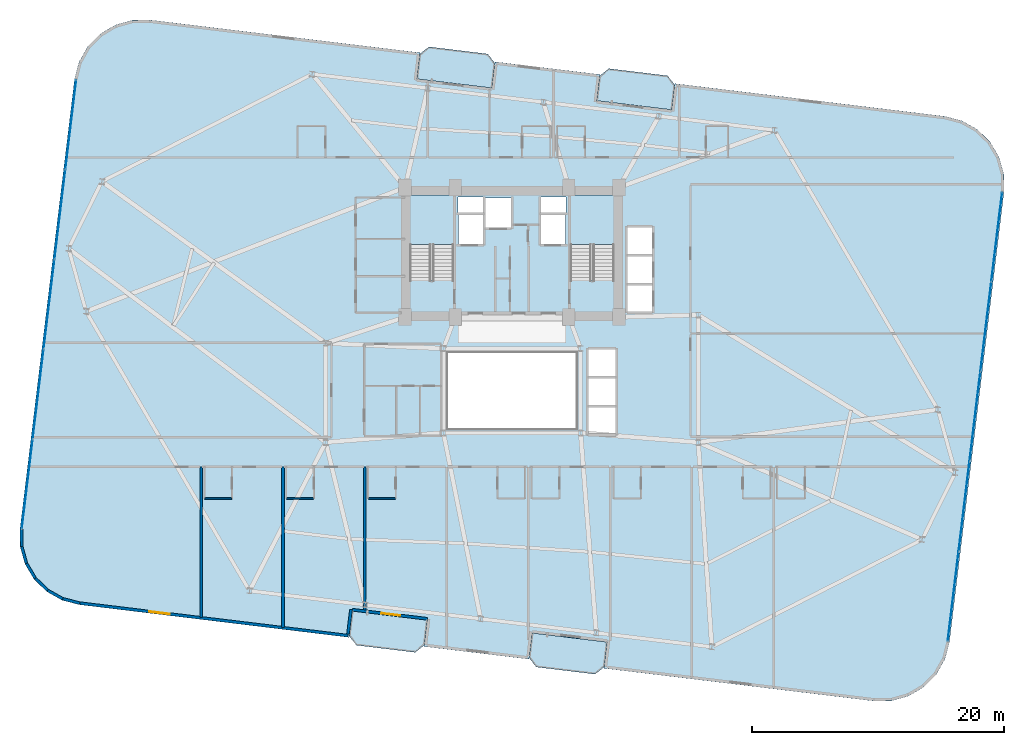
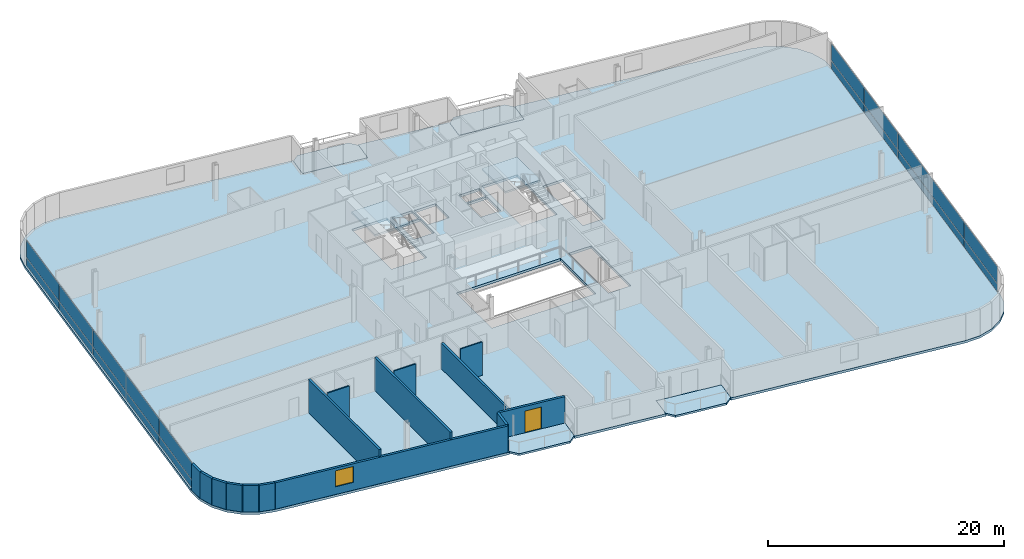
# One storey, part 19 of 26: 20 plates, 15 walls, 7 slabs, 1 door, 1 window, 2 openings, 4 elements without a shape of their own.
"""IFC4 building model written with IfcOpenShell, lengths in metres."""

from ifc_helpers import new_model, si_unit, direction, frame, frame_2d, origin, origin_2d, place, context, subcontext, project, spatial, polyline, rectangle, outline, extrude, source, transform, mapped, material, layer, layer_set, type_object, element, fill, aggregate, save


model = new_model("IFC4")

# Units and contexts
model_context = context("Model", 3, precision=1e-05, world=origin(), true_north=direction((0.0, 1.0)))
body_context = subcontext(model_context, "Body", "Model", "MODEL_VIEW")
ifc_project = project(units=[si_unit("LENGTHUNIT", "METRE"), si_unit("AREAUNIT", "SQUARE_METRE"), si_unit("VOLUMEUNIT", "CUBIC_METRE"), si_unit("PLANEANGLEUNIT", "RADIAN"), si_unit("MASSUNIT", "GRAM", prefix="KILO")], contexts=[model_context])

# Site, building, storey
site_placement = place(None, origin())
site = spatial("IfcSite", under=ifc_project, at=site_placement, CompositionType="ELEMENT")
building_placement = place(site_placement, origin())
building = spatial("IfcBuilding", under=site, at=building_placement, Name="Varnelok Gate Tower", CompositionType="ELEMENT")
storey_placement = place(building_placement, frame((0.0, 0.0, 129.10009765625)))
storey = spatial("IfcBuildingStorey", under=building, at=storey_placement, Name="L32", CompositionType="ELEMENT", Elevation=129.10009765625)

# Slabs
ifc_material_1 = material(Name="Concrete C45/55", Category="concrete")
ifc_layer_1 = layer(ifc_material_1, 0.199951171875)
ifc_layer_set_1 = layer_set([ifc_layer_1], Name="Concrete C45/55")
slab_type_1 = type_object("IfcSlabType", Name="SLB-BALC-200", PredefinedType="FLOOR", material=ifc_layer_set_1)
slab_1_placement = place(storey_placement, frame((0.0, 0.0, -0.2001953125)))
element("IfcSlab", 1, at=slab_1_placement, inside=storey, type_object=slab_type_1, Name="L32 South Hollow Balcony 1", PredefinedType="FLOOR", context=body_context, shape_type="SweptSolid", body=[
    extrude(outline(polyline([(26.27001953125, 3.39697265625), (26.837158203125, 2.67333984375), (31.5029296875, 2.107666015625), (32.2265625, 2.6748046875), (32.46728515625, 4.660400390625), (26.5107421875, 5.38232421875), (26.27001953125, 3.39697265625)])), origin(), (0.0, 0.0, 1.0), 0.2001953125),
])
slab_2_placement = place(storey_placement, frame((0.0, 0.0, -0.2001953125)))
element("IfcSlab", 2, at=slab_2_placement, inside=storey, type_object=slab_type_1, Name="L32 South Hollow Balcony 2", PredefinedType="FLOOR", context=body_context, shape_type="SweptSolid", body=[
    extrude(outline(polyline([(40.5654296875, 1.663818359375), (41.132568359375, 0.9404296875), (45.79833984375, 0.374755859375), (46.521728515625, 0.94189453125), (46.762451171875, 2.92724609375), (40.80615234375, 3.6494140625), (40.5654296875, 1.663818359375)])), origin(), (0.0, 0.0, 1.0), 0.2001953125),
])
slab_3_placement = place(storey_placement, frame((0.0, 0.0, -0.2001953125)))
element("IfcSlab", 3, at=slab_3_placement, inside=storey, type_object=slab_type_1, Name="L32 North Hollow Balcony 1", PredefinedType="FLOOR", context=body_context, shape_type="SweptSolid", body=[
    extrude(outline(polyline([(31.637451171875, 47.672607421875), (37.593994140625, 46.95068359375), (37.834716796875, 48.93603515625), (37.267578125, 49.65966796875), (32.601806640625, 50.22509765625), (31.878173828125, 49.658203125), (31.637451171875, 47.672607421875)])), origin(), (0.0, 0.0, 1.0), 0.2001953125),
])
slab_4_placement = place(storey_placement, frame((0.0, 0.0, -0.2001953125)))
element("IfcSlab", 4, at=slab_4_placement, inside=storey, type_object=slab_type_1, Name="L32 North Hollow Balcony 2", PredefinedType="FLOOR", context=body_context, shape_type="SweptSolid", body=[
    extrude(outline(polyline([(45.932861328125, 45.939697265625), (51.88916015625, 45.2177734375), (52.1298828125, 47.203125), (51.562744140625, 47.926513671875), (46.89697265625, 48.4921875), (46.173583984375, 47.92529296875), (45.932861328125, 45.939697265625)])), origin(), (0.0, 0.0, 1.0), 0.2001953125),
])

# Stair, slab
ifc_material_2 = material(Name="Concrete C50/60", Category="concrete")
stair_type = type_object("IfcStairType", Name="STR-CORE-1650", PredefinedType="HALF_TURN_STAIR", material=ifc_material_2)
stair_1_placement = place(storey_placement, origin())
stair_1 = element("IfcStair", 5, at=stair_1_placement, inside=storey, type_object=stair_type, Name="L32 Exit Stair ST-1", PredefinedType="HALF_TURN_STAIR")
ifc_layer_2 = layer(ifc_material_1, 0.199951171875)
ifc_layer_set_2 = layer_set([ifc_layer_2], Name="Concrete C45/55")
slab_type_2 = type_object("IfcSlabType", Name="SLB-LAND-200", PredefinedType="LANDING", material=ifc_layer_set_2)
slab_5_placement = place(storey_placement, frame((0.0, 0.0, 1.64990234375)))
slab_5 = element("IfcSlab", 6, at=slab_5_placement, type_object=slab_type_2, Name="ST-1 landing 1", PredefinedType="LANDING", context=body_context, shape_type="SweptSolid", body=[
    extrude(outline(polyline([(34.550048828125, 34.5), (34.550048828125, 38.449951171875), (31.10009765625, 38.449951171875), (31.10009765625, 34.5), (34.550048828125, 34.5)])), origin(), (0.0, 0.0, 1.0), 0.199951171875),
])
aggregate(stair_1, [slab_5])

stair_2_placement = place(storey_placement, origin())
stair_2 = element("IfcStair", 7, at=stair_2_placement, inside=storey, type_object=stair_type, Name="L32 Exit Stair ST-2", PredefinedType="HALF_TURN_STAIR")
slab_6_placement = place(storey_placement, frame((0.0, 0.0, 1.64990234375)))
slab_6 = element("IfcSlab", 8, at=slab_6_placement, type_object=slab_type_2, Name="ST-2 landing 1", PredefinedType="LANDING", context=body_context, shape_type="SweptSolid", body=[
    extrude(outline(polyline([(47.300048828125, 34.5), (47.300048828125, 38.449951171875), (43.85009765625, 38.449951171875), (43.85009765625, 34.5), (47.300048828125, 34.5)])), origin(), (0.0, 0.0, 1.0), 0.199951171875),
])
aggregate(stair_2, [slab_6])

# Slab
ifc_layer_3 = layer(ifc_material_2, 0.25)
ifc_layer_set_3 = layer_set([ifc_layer_3], Name="Concrete C50/60")
slab_type_3 = type_object("IfcSlabType", Name="SLB-TYP-250", PredefinedType="FLOOR", material=ifc_layer_set_3)
slab_7_placement = place(storey_placement, frame((0.0, 0.0, -0.25)))
element("IfcSlab", 9, at=slab_7_placement, inside=storey, type_object=slab_type_3, Name="L32 Structural Floor Slab", PredefinedType="FLOOR", context=body_context, shape_type="SweptSolid", body=[
    extrude(outline(polyline([(0.104248046875, 11.90771484375), (0.11865234375, 10.498046875), (0.49755859375, 9.14013671875), (1.214599609375, 7.9267578125), (2.2216796875, 6.940185546875), (3.44970703125, 6.247802734375), (4.81494140625, 5.89697265625), (16.529296875, 4.47705078125), (26.258056640625, 3.297607421875), (26.5107421875, 5.38232421875), (32.46728515625, 4.660400390625), (32.214599609375, 2.575439453125), (40.553466796875, 1.564697265625), (40.80615234375, 3.6494140625), (46.762451171875, 2.92724609375), (46.509765625, 0.842529296875), (56.238525390625, -0.3369140625), (67.952880859375, -1.7568359375), (69.3623046875, -1.742431640625), (70.72021484375, -1.363525390625), (71.933837890625, -0.646240234375), (72.92041015625, 0.360595703125), (73.612548828125, 1.588623046875), (73.96337890625, 2.9541015625), (78.2958984375, 38.6923828125), (78.281494140625, 40.101806640625), (77.902587890625, 41.459716796875), (77.185302734375, 42.67333984375), (76.17822265625, 43.659912109375), (74.9501953125, 44.35205078125), (73.5849609375, 44.702880859375), (61.87060546875, 46.123046875), (52.141845703125, 47.302490234375), (51.88916015625, 45.2177734375), (45.932861328125, 45.939697265625), (46.185546875, 48.0244140625), (37.8466796875, 49.035400390625), (37.593994140625, 46.95068359375), (31.637451171875, 47.672607421875), (31.89013671875, 49.75732421875), (22.161376953125, 50.936767578125), (10.447265625, 52.35693359375), (9.03759765625, 52.34228515625), (7.6796875, 51.963623046875), (6.46630859375, 51.246337890625), (5.479736328125, 50.2392578125), (4.787353515625, 49.01123046875), (4.4365234375, 47.64599609375), (0.104248046875, 11.90771484375)]), holes=[polyline([(34.550048828125, 31.679931640625), (34.550048828125, 38.449951171875), (31.10009765625, 38.449951171875), (31.10009765625, 31.679931640625), (34.550048828125, 31.679931640625)]), polyline([(47.300048828125, 31.679931640625), (47.300048828125, 38.449951171875), (43.85009765625, 38.449951171875), (43.85009765625, 31.679931640625), (47.300048828125, 31.679931640625)]), polyline([(34.949951171875, 34.550048828125), (36.89990234375, 34.550048828125), (36.89990234375, 36.89990234375), (34.949951171875, 36.89990234375), (34.949951171875, 34.550048828125)]), polyline([(41.5, 34.550048828125), (43.449951171875, 34.550048828125), (43.449951171875, 36.89990234375), (41.5, 36.89990234375), (41.5, 34.550048828125)]), polyline([(37.050048828125, 35.85009765625), (39.14990234375, 35.85009765625), (39.14990234375, 38.199951171875), (37.050048828125, 38.199951171875), (37.050048828125, 35.85009765625)]), polyline([(48.35009765625, 29.14990234375), (50.35009765625, 29.14990234375), (50.35009765625, 35.89990234375), (48.35009765625, 35.89990234375), (48.35009765625, 29.14990234375)]), polyline([(45.25, 19.449951171875), (47.449951171875, 19.449951171875), (47.449951171875, 26.199951171875), (45.25, 26.199951171875), (45.25, 19.449951171875)]), polyline([(34.919921875, 37.080078125), (36.89990234375, 37.080078125), (36.89990234375, 38.280029296875), (34.919921875, 38.280029296875), (34.919921875, 37.080078125)]), polyline([(41.5, 37.080078125), (43.47998046875, 37.080078125), (43.47998046875, 38.280029296875), (41.5, 38.280029296875), (41.5, 37.080078125)]), polyline([(34.10009765625, 19.89990234375), (44.300048828125, 19.89990234375), (44.300048828125, 25.89990234375), (34.10009765625, 25.89990234375), (34.10009765625, 19.89990234375)])]), origin(), (0.0, 0.0, 1.0), 0.25),
])

# Curtain wall, plates
ifc_material_3 = material(Name="Anodized Aluminum Alloy 6063-T6", Category="aluminium")
ifc_layer_4 = layer(ifc_material_3, 0.179931640625)
ifc_layer_set_4 = layer_set([ifc_layer_4], Name="Anodized Aluminum Alloy 6063-T6")
curtain_wall_type = type_object("IfcCurtainWallType", Name="CW3-HOTEL-VISION", PredefinedType="USERDEFINED", material=ifc_layer_set_4)
curtain_wall_1_placement = place(storey_placement, origin())
curtain_wall_1 = element("IfcCurtainWall", 10, at=curtain_wall_1_placement, inside=storey, type_object=curtain_wall_type, Name="L32 West End Vision Curtain Wall", ObjectType="UNITISED CURTAIN WALL", PredefinedType="USERDEFINED")
ifc_material_4 = material(Name="Low-E Laminated Double Glazing IGU", Category="glass")
ifc_layer_5 = layer(ifc_material_4, 0.031982421875)
ifc_layer_set_5 = layer_set([ifc_layer_5], Name="Low-E Laminated Double Glazing IGU")
plate_type = type_object("IfcPlateType", Name="CW-PNL-IGU32", PredefinedType="CURTAIN_PANEL", material=ifc_layer_set_5)
shared_shape_1 = source(origin(), body_context, "Body", "SweptSolid", [
    extrude(rectangle(XDim=7.1025390625, YDim=0.031982421875, at=origin_2d()), origin(), (0.0, 0.0, 1.0), 0.802490234375),
])
plate_1_placement = place(storey_placement, frame((0.67822265625, 15.480712890625, 0.06494140625), z_axis=(0.0, 0.0, 1.0), x_axis=(0.120347046212, 0.99273188146, 0.0)))
plate_1 = element("IfcPlate", 11, at=plate_1_placement, type_object=plate_type, Name="CW3 panel 1.1", PredefinedType="CURTAIN_PANEL", context=body_context, shape_type="MappedRepresentation", body=[
    mapped(shared_shape_1, transform((0.0, 0.0, 0.0), scale=1.0)),
])
plate_2_placement = place(storey_placement, frame((4.140380859375, 44.039306640625, 0.06494140625), z_axis=(0.0, 0.0, 1.0), x_axis=(0.120347046212, 0.99273188146, 0.0)))
plate_2 = element("IfcPlate", 12, at=plate_2_placement, type_object=plate_type, Name="CW3 panel 5.1", PredefinedType="CURTAIN_PANEL", context=body_context, shape_type="MappedRepresentation", body=[
    mapped(shared_shape_1, transform((0.0, 0.0, 0.0), scale=1.0)),
])

curtain_wall_2_placement = place(storey_placement, origin())
curtain_wall_2 = element("IfcCurtainWall", 13, at=curtain_wall_2_placement, inside=storey, type_object=curtain_wall_type, Name="L32 East End Vision Curtain Wall", ObjectType="UNITISED CURTAIN WALL", PredefinedType="USERDEFINED")
plate_3_placement = place(storey_placement, frame((77.7216796875, 35.119140625, 0.06494140625), z_axis=(0.0, 0.0, 1.0), x_axis=(-0.120347046212, -0.99273188146, 0.0)))
plate_3 = element("IfcPlate", 14, at=plate_3_placement, type_object=plate_type, Name="CW3 panel 1.1", PredefinedType="CURTAIN_PANEL", context=body_context, shape_type="MappedRepresentation", body=[
    mapped(shared_shape_1, transform((0.0, 0.0, 0.0), scale=1.0)),
])
plate_4_placement = place(storey_placement, frame((74.259521484375, 6.560791015625, 0.06494140625), z_axis=(0.0, 0.0, 1.0), x_axis=(-0.120347046212, -0.99273188146, 0.0)))
plate_4 = element("IfcPlate", 15, at=plate_4_placement, type_object=plate_type, Name="CW3 panel 5.1", PredefinedType="CURTAIN_PANEL", context=body_context, shape_type="MappedRepresentation", body=[
    mapped(shared_shape_1, transform((0.0, 0.0, 0.0), scale=1.0)),
])

# Plate
shared_shape_2 = source(origin(), body_context, "Body", "SweptSolid", [
    extrude(rectangle(XDim=7.1025390625, YDim=0.031982421875, at=origin_2d()), origin(), (0.0, 0.0, 1.0), 1.732421875),
])
plate_5_placement = place(storey_placement, frame((0.67822265625, 15.480712890625, 0.932373046875), z_axis=(0.0, 0.0, 1.0), x_axis=(0.120347046212, 0.99273188146, 0.0)))
plate_5 = element("IfcPlate", 16, at=plate_5_placement, type_object=plate_type, Name="CW3 panel 1.2", PredefinedType="CURTAIN_PANEL", context=body_context, shape_type="MappedRepresentation", body=[
    mapped(shared_shape_2, transform((0.0, 0.0, 0.0), scale=1.0)),
])

plate_6_placement = place(storey_placement, frame((4.140380859375, 44.039306640625, 0.932373046875), z_axis=(0.0, 0.0, 1.0), x_axis=(0.120347046212, 0.99273188146, 0.0)))
plate_6 = element("IfcPlate", 17, at=plate_6_placement, type_object=plate_type, Name="CW3 panel 5.2", PredefinedType="CURTAIN_PANEL", context=body_context, shape_type="MappedRepresentation", body=[
    mapped(shared_shape_2, transform((0.0, 0.0, 0.0), scale=1.0)),
])

plate_7_placement = place(storey_placement, frame((77.7216796875, 35.119140625, 0.932373046875), z_axis=(0.0, 0.0, 1.0), x_axis=(-0.120347046212, -0.99273188146, 0.0)))
plate_7 = element("IfcPlate", 18, at=plate_7_placement, type_object=plate_type, Name="CW3 panel 1.2", PredefinedType="CURTAIN_PANEL", context=body_context, shape_type="MappedRepresentation", body=[
    mapped(shared_shape_2, transform((0.0, 0.0, 0.0), scale=1.0)),
])

plate_8_placement = place(storey_placement, frame((74.259521484375, 6.560791015625, 0.932373046875), z_axis=(0.0, 0.0, 1.0), x_axis=(-0.120347046212, -0.99273188146, 0.0)))
plate_8 = element("IfcPlate", 19, at=plate_8_placement, type_object=plate_type, Name="CW3 panel 5.2", PredefinedType="CURTAIN_PANEL", context=body_context, shape_type="MappedRepresentation", body=[
    mapped(shared_shape_2, transform((0.0, 0.0, 0.0), scale=1.0)),
])

shared_shape_3 = source(origin(), body_context, "Body", "SweptSolid", [
    extrude(rectangle(XDim=7.135009765625, YDim=0.031982421875, at=origin_2d()), origin(), (0.0, 0.0, 1.0), 0.802490234375),
])
plate_9_placement = place(storey_placement, frame((1.54296875, 22.6123046875, 0.06494140625), z_axis=(0.0, 0.0, 1.0), x_axis=(0.120347046212, 0.99273188146, 0.0)))
plate_9 = element("IfcPlate", 20, at=plate_9_placement, type_object=plate_type, Name="CW3 panel 2.1", PredefinedType="CURTAIN_PANEL", context=body_context, shape_type="MappedRepresentation", body=[
    mapped(shared_shape_3, transform((0.0, 0.0, 0.0), scale=1.0)),
])

plate_10_placement = place(storey_placement, frame((2.409423828125, 29.760009765625, 0.06494140625), z_axis=(0.0, 0.0, 1.0), x_axis=(0.120347046212, 0.99273188146, 0.0)))
plate_10 = element("IfcPlate", 21, at=plate_10_placement, type_object=plate_type, Name="CW3 panel 3.1", PredefinedType="CURTAIN_PANEL", context=body_context, shape_type="MappedRepresentation", body=[
    mapped(shared_shape_3, transform((0.0, 0.0, 0.0), scale=1.0)),
])

plate_11_placement = place(storey_placement, frame((3.27587890625, 36.90771484375, 0.06494140625), z_axis=(0.0, 0.0, 1.0), x_axis=(0.120347046212, 0.99273188146, 0.0)))
plate_11 = element("IfcPlate", 22, at=plate_11_placement, type_object=plate_type, Name="CW3 panel 4.1", PredefinedType="CURTAIN_PANEL", context=body_context, shape_type="MappedRepresentation", body=[
    mapped(shared_shape_3, transform((0.0, 0.0, 0.0), scale=1.0)),
])

plate_12_placement = place(storey_placement, frame((76.857177734375, 27.98779296875, 0.06494140625), z_axis=(0.0, 0.0, 1.0), x_axis=(-0.120347046212, -0.99273188146, 0.0)))
plate_12 = element("IfcPlate", 23, at=plate_12_placement, type_object=plate_type, Name="CW3 panel 2.1", PredefinedType="CURTAIN_PANEL", context=body_context, shape_type="MappedRepresentation", body=[
    mapped(shared_shape_3, transform((0.0, 0.0, 0.0), scale=1.0)),
])

plate_13_placement = place(storey_placement, frame((75.99072265625, 20.840087890625, 0.06494140625), z_axis=(0.0, 0.0, 1.0), x_axis=(-0.120347046212, -0.99273188146, 0.0)))
plate_13 = element("IfcPlate", 24, at=plate_13_placement, type_object=plate_type, Name="CW3 panel 3.1", PredefinedType="CURTAIN_PANEL", context=body_context, shape_type="MappedRepresentation", body=[
    mapped(shared_shape_3, transform((0.0, 0.0, 0.0), scale=1.0)),
])

plate_14_placement = place(storey_placement, frame((75.124267578125, 13.6923828125, 0.06494140625), z_axis=(0.0, 0.0, 1.0), x_axis=(-0.120347046212, -0.99273188146, 0.0)))
plate_14 = element("IfcPlate", 25, at=plate_14_placement, type_object=plate_type, Name="CW3 panel 4.1", PredefinedType="CURTAIN_PANEL", context=body_context, shape_type="MappedRepresentation", body=[
    mapped(shared_shape_3, transform((0.0, 0.0, 0.0), scale=1.0)),
])

shared_shape_4 = source(origin(), body_context, "Body", "SweptSolid", [
    extrude(rectangle(XDim=7.135009765625, YDim=0.031982421875, at=origin_2d()), origin(), (0.0, 0.0, 1.0), 1.732421875),
])
plate_15_placement = place(storey_placement, frame((1.54296875, 22.6123046875, 0.932373046875), z_axis=(0.0, 0.0, 1.0), x_axis=(0.120347046212, 0.99273188146, 0.0)))
plate_15 = element("IfcPlate", 26, at=plate_15_placement, type_object=plate_type, Name="CW3 panel 2.2", PredefinedType="CURTAIN_PANEL", context=body_context, shape_type="MappedRepresentation", body=[
    mapped(shared_shape_4, transform((0.0, 0.0, 0.0), scale=1.0)),
])

plate_16_placement = place(storey_placement, frame((2.409423828125, 29.760009765625, 0.932373046875), z_axis=(0.0, 0.0, 1.0), x_axis=(0.120347046212, 0.99273188146, 0.0)))
plate_16 = element("IfcPlate", 27, at=plate_16_placement, type_object=plate_type, Name="CW3 panel 3.2", PredefinedType="CURTAIN_PANEL", context=body_context, shape_type="MappedRepresentation", body=[
    mapped(shared_shape_4, transform((0.0, 0.0, 0.0), scale=1.0)),
])

plate_17_placement = place(storey_placement, frame((3.27587890625, 36.90771484375, 0.932373046875), z_axis=(0.0, 0.0, 1.0), x_axis=(0.120347046212, 0.99273188146, 0.0)))
plate_17 = element("IfcPlate", 28, at=plate_17_placement, type_object=plate_type, Name="CW3 panel 4.2", PredefinedType="CURTAIN_PANEL", context=body_context, shape_type="MappedRepresentation", body=[
    mapped(shared_shape_4, transform((0.0, 0.0, 0.0), scale=1.0)),
])

aggregate(curtain_wall_1, [plate_1, plate_5, plate_9, plate_15, plate_10, plate_16, plate_11, plate_17, plate_2, plate_6])

plate_18_placement = place(storey_placement, frame((76.857177734375, 27.98779296875, 0.932373046875), z_axis=(0.0, 0.0, 1.0), x_axis=(-0.120347046212, -0.99273188146, 0.0)))
plate_18 = element("IfcPlate", 29, at=plate_18_placement, type_object=plate_type, Name="CW3 panel 2.2", PredefinedType="CURTAIN_PANEL", context=body_context, shape_type="MappedRepresentation", body=[
    mapped(shared_shape_4, transform((0.0, 0.0, 0.0), scale=1.0)),
])

plate_19_placement = place(storey_placement, frame((75.99072265625, 20.840087890625, 0.932373046875), z_axis=(0.0, 0.0, 1.0), x_axis=(-0.120347046212, -0.99273188146, 0.0)))
plate_19 = element("IfcPlate", 30, at=plate_19_placement, type_object=plate_type, Name="CW3 panel 3.2", PredefinedType="CURTAIN_PANEL", context=body_context, shape_type="MappedRepresentation", body=[
    mapped(shared_shape_4, transform((0.0, 0.0, 0.0), scale=1.0)),
])

plate_20_placement = place(storey_placement, frame((75.124267578125, 13.6923828125, 0.932373046875), z_axis=(0.0, 0.0, 1.0), x_axis=(-0.120347046212, -0.99273188146, 0.0)))
plate_20 = element("IfcPlate", 31, at=plate_20_placement, type_object=plate_type, Name="CW3 panel 4.2", PredefinedType="CURTAIN_PANEL", context=body_context, shape_type="MappedRepresentation", body=[
    mapped(shared_shape_4, transform((0.0, 0.0, 0.0), scale=1.0)),
])

aggregate(curtain_wall_2, [plate_3, plate_7, plate_12, plate_18, plate_13, plate_19, plate_14, plate_20, plate_4, plate_8])

# Wall, opening, door
ifc_layer_6 = layer(ifc_material_1, 0.219970703125)
ifc_layer_set_6 = layer_set([ifc_layer_6], Name="Concrete C45/55")
wall_type_1 = type_object("IfcWallType", Name="EW-BALC-220", PredefinedType="SOLIDWALL", material=ifc_layer_set_6)
wall_1_placement = place(storey_placement, frame((32.48046875, 4.76953125, 0.0), z_axis=(0.0, 0.0, 1.0), x_axis=(-0.992735402148, 0.120318000826, 0.0)))
wall_1 = element("IfcWall", 32, at=wall_1_placement, inside=storey, type_object=wall_type_1, Name="L32 South Terrace Envelope Wall 1", PredefinedType="SOLIDWALL", context=body_context, shape_type="SweptSolid", body=[
    extrude(rectangle(XDim=6.000244140625, YDim=0.219970703125, at=frame_2d((3.0, 0.0))), origin(), (0.0, 0.0, 1.0), 2.72998046875),
])
opening_1_placement = place(wall_1_placement, frame((2.176025390625, 0.0, 0.0)))
opening_1 = element("IfcOpeningElement", 33, at=opening_1_placement, cuts=wall_1, Name="Opening BD-1", PredefinedType="OPENING", context=body_context, shape_type="SweptSolid", body=[
    extrude(rectangle(XDim=1.5, YDim=2.25, at=frame_2d((0.75, 1.125))), frame((0.0, 0.119873046875, 0.0), z_axis=(0.0, -1.0, 0.0), x_axis=(1.0, 0.0, 0.0)), (0.0, 0.0, 1.0), 0.239990234375),
])
door_type = type_object("IfcDoorType", Name="DR-EXT-BALC1500", OperationType="NOTDEFINED", PredefinedType="DOOR", material=ifc_material_3)
door_placement = place(opening_1_placement, origin())
door = element("IfcDoor", 34, at=door_placement, inside=storey, type_object=door_type, Name="L32 South Balcony Glazed Door 1", OperationType="SINGLE_SWING_RIGHT", OverallHeight=2.25, OverallWidth=1.5, PredefinedType="DOOR", context=body_context, shape_type="SweptSolid", body=[
    extrude(rectangle(XDim=1.5, YDim=2.25, at=frame_2d((0.75, 1.125))), frame((0.0, 0.02490234375, 0.0), z_axis=(0.0, -1.0, 0.0), x_axis=(1.0, 0.0, 0.0)), (0.0, 0.0, 1.0), 0.050048828125),
])
fill(opening_1, door)

# Walls
wall_2_placement = place(storey_placement, frame((0.224365234375, 11.89306640625, 0.0), z_axis=(0.0, 0.0, 1.0), x_axis=(0.010098705419, -0.999949006774, 0.0)))
element("IfcWall", 35, at=wall_2_placement, inside=storey, type_object=wall_type_1, Name="L32 Perimeter Facade Closure Wall 1", PredefinedType="SOLIDWALL", context=body_context, shape_type="SweptSolid", body=[
    extrude(rectangle(XDim=1.3779296875, YDim=0.219970703125, at=frame_2d((0.68896484375, 0.0))), origin(), (0.0, 0.0, 1.0), 2.72998046875),
])
wall_3_placement = place(storey_placement, frame((0.2451171875, 10.490966796875, 0.0), z_axis=(0.0, 0.0, 1.0), x_axis=(0.268853470153, -0.963181089716, 0.0)))
element("IfcWall", 36, at=wall_3_placement, inside=storey, type_object=wall_type_1, Name="L32 Perimeter Facade Closure Wall 2", PredefinedType="SOLIDWALL", context=body_context, shape_type="SweptSolid", body=[
    extrude(rectangle(XDim=1.35302734375, YDim=0.219970703125, at=frame_2d((0.676513671875, 0.0))), origin(), (0.0, 0.0, 1.0), 2.72998046875),
])
wall_4_placement = place(storey_placement, frame((0.62158203125, 9.166015625, 0.0), z_axis=(0.0, 0.0, 1.0), x_axis=(0.508911700393, -0.860818727261, 0.0)))
element("IfcWall", 37, at=wall_4_placement, inside=storey, type_object=wall_type_1, Name="L32 Perimeter Facade Closure Wall 3", PredefinedType="SOLIDWALL", context=body_context, shape_type="SweptSolid", body=[
    extrude(rectangle(XDim=1.352783203125, YDim=0.219970703125, at=frame_2d((0.67626953125, 0.0))), origin(), (0.0, 0.0, 1.0), 2.72998046875),
])
wall_5_placement = place(storey_placement, frame((1.327880859375, 7.98388671875, 0.0), z_axis=(0.0, 0.0, 1.0), x_axis=(0.714376989847, -0.69976104234, 0.0)))
element("IfcWall", 38, at=wall_5_placement, inside=storey, type_object=wall_type_1, Name="L32 Perimeter Facade Closure Wall 4", PredefinedType="SOLIDWALL", context=body_context, shape_type="SweptSolid", body=[
    extrude(rectangle(XDim=1.35302734375, YDim=0.219970703125, at=frame_2d((0.676513671875, 0.0))), origin(), (0.0, 0.0, 1.0), 2.72998046875),
])
wall_6_placement = place(storey_placement, frame((2.316162109375, 7.024658203125, 0.0), z_axis=(0.0, 0.0, 1.0), x_axis=(0.87113677592, -0.491040443996, 0.0)))
element("IfcWall", 39, at=wall_6_placement, inside=storey, type_object=wall_type_1, Name="L32 Perimeter Facade Closure Wall 5", PredefinedType="SOLIDWALL", context=body_context, shape_type="SweptSolid", body=[
    extrude(rectangle(XDim=1.353271484375, YDim=0.219970703125, at=frame_2d((0.6767578125, 0.0))), origin(), (0.0, 0.0, 1.0), 2.72998046875),
])
wall_7_placement = place(storey_placement, frame((3.519287109375, 6.35400390625, 0.0), z_axis=(0.0, 0.0, 1.0), x_axis=(0.968506529347, -0.248988157573, 0.0)))
element("IfcWall", 40, at=wall_7_placement, inside=storey, type_object=wall_type_1, Name="L32 Perimeter Facade Closure Wall 6", PredefinedType="SOLIDWALL", context=body_context, shape_type="SweptSolid", body=[
    extrude(rectangle(XDim=1.361083984375, YDim=0.219970703125, at=frame_2d((0.6806640625, 0.0))), origin(), (0.0, 0.0, 1.0), 2.72998046875),
])

# Wall, opening, window
wall_8_placement = place(storey_placement, frame((4.862060546875, 6.01220703125, 0.0), z_axis=(0.0, 0.0, 1.0), x_axis=(0.99273213367, -0.120344965739, 0.0)))
wall_8 = element("IfcWall", 41, at=wall_8_placement, inside=storey, type_object=wall_type_1, Name="L32 Perimeter Facade Closure Wall 7", PredefinedType="SOLIDWALL", context=body_context, shape_type="SweptSolid", body=[
    extrude(rectangle(XDim=21.447021484375, YDim=0.219970703125, at=frame_2d((10.7236328125, 0.0))), origin(), (0.0, 0.0, 1.0), 2.72998046875),
])
opening_2_placement = place(wall_8_placement, frame((5.543212890625, 0.0, 0.800048828125)))
opening_2 = element("IfcOpeningElement", 42, at=opening_2_placement, cuts=wall_8, Name="Opening WN3", PredefinedType="OPENING", context=body_context, shape_type="SweptSolid", body=[
    extrude(rectangle(XDim=1.64990234375, YDim=1.64990234375, at=frame_2d((0.824951171875, 0.824951171875))), frame((0.0, 0.119873046875, 0.0), z_axis=(0.0, -1.0, 0.0), x_axis=(1.0, 0.0, 0.0)), (0.0, 0.0, 1.0), 0.239990234375),
])
window_type = type_object("IfcWindowType", Name="WN-HTL-1650", PartitioningType="SINGLE_PANEL", PredefinedType="WINDOW", material=ifc_material_4)
window_placement = place(opening_2_placement, origin())
window = element("IfcWindow", 43, at=window_placement, inside=storey, type_object=window_type, Name="L32 Perimeter Vision Window 7", OverallHeight=1.64990234375, OverallWidth=1.64990234375, PartitioningType="SINGLE_PANEL", PredefinedType="WINDOW", context=body_context, shape_type="SweptSolid", body=[
    extrude(rectangle(XDim=1.64990234375, YDim=1.64990234375, at=frame_2d((0.824951171875, 0.824951171875))), frame((0.0, 0.030029296875, 0.0), z_axis=(0.0, -1.0, 0.0), x_axis=(1.0, 0.0, 0.0)), (0.0, 0.0, 1.0), 0.06005859375),
])
fill(opening_2, window)

# Walls
wall_9_placement = place(storey_placement, frame((26.16845703125, 3.555419921875, 0.0), z_axis=(0.0, 0.0, 1.0), x_axis=(0.120290754542, 0.992738703976, 0.0)))
element("IfcWall", 44, at=wall_9_placement, inside=storey, type_object=wall_type_1, Name="L32 Perimeter Facade Closure Wall 8", PredefinedType="SOLIDWALL", context=body_context, shape_type="SweptSolid", body=[
    extrude(rectangle(XDim=1.974853515625, YDim=0.219970703125, at=frame_2d((0.9873046875, 0.0))), origin(), (0.0, 0.0, 1.0), 2.72998046875),
])
ifc_material_5 = material(Name="Gypsum Plasterboard Acoustic Partition", Category="gypsum")
ifc_layer_7 = layer(ifc_material_5, 0.114990234375)
ifc_layer_set_7 = layer_set([ifc_layer_7], Name="Gypsum Plasterboard Acoustic Partition")
wall_type_2 = type_object("IfcWallType", Name="PW-ENS-125", PredefinedType="PARTITIONING", material=ifc_layer_set_7)
for number, where, z_axis, x_axis, name in (
    (45, (14.800048828125, 14.330078125, 0.0), (0.0, 0.0, 1.0), (1.0, 0.0, 0.0), "Interior Partition"),
    (46, (21.300048828125, 14.330078125, 0.0), (0.0, 0.0, 1.0), (1.0, 0.0, 0.0), "Interior Partition"),
    (47, (27.800048828125, 14.330078125, 0.0), (0.0, 0.0, 1.0), (1.0, 0.0, 0.0), "Interior Partition"),
):
    element("IfcWall", number, at=place(storey_placement, frame(where, z_axis=z_axis, x_axis=x_axis)), inside=storey, type_object=wall_type_2, Name=name, PredefinedType="PARTITIONING", context=body_context, shape_type="SweptSolid", body=[
        extrude(rectangle(XDim=2.1240234375, YDim=0.114990234375, at=frame_2d((1.06201171875, 0.0))), origin(), (0.0, 0.0, 1.0), 3.449951171875),
    ])
ifc_layer_8 = layer(ifc_material_5, 0.205078125)
ifc_layer_set_8 = layer_set([ifc_layer_8], Name="Gypsum Plasterboard Acoustic Partition")
wall_type_3 = type_object("IfcWallType", Name="PW-PARTY-200", PredefinedType="PARTITIONING", material=ifc_layer_set_8)
wall_10_placement = place(storey_placement, frame((14.5, 4.864013671875, 0.0), z_axis=(0.0, 0.0, 1.0), x_axis=(0.0, 1.0, 0.0)))
element("IfcWall", 48, at=wall_10_placement, inside=storey, type_object=wall_type_3, Name="L32 South Party Wall 1", PredefinedType="PARTITIONING", context=body_context, shape_type="SweptSolid", body=[
    extrude(rectangle(XDim=11.986083984375, YDim=0.205078125, at=frame_2d((5.9931640625, 0.0))), origin(), (0.0, 0.0, 1.0), 3.449951171875),
])
wall_11_placement = place(storey_placement, frame((21.0, 4.076171875, 0.0), z_axis=(0.0, 0.0, 1.0), x_axis=(0.0, 1.0, 0.0)))
element("IfcWall", 49, at=wall_11_placement, inside=storey, type_object=wall_type_3, Name="L32 South Party Wall 2", PredefinedType="PARTITIONING", context=body_context, shape_type="SweptSolid", body=[
    extrude(rectangle(XDim=12.77392578125, YDim=0.205078125, at=frame_2d((6.386962890625, 0.0))), origin(), (0.0, 0.0, 1.0), 3.449951171875),
])
wall_12_placement = place(storey_placement, frame((27.5, 5.4033203125, 0.0), z_axis=(0.0, 0.0, 1.0), x_axis=(0.0, 1.0, 0.0)))
element("IfcWall", 50, at=wall_12_placement, inside=storey, type_object=wall_type_3, Name="L32 South Party Wall 3", PredefinedType="PARTITIONING", context=body_context, shape_type="SweptSolid", body=[
    extrude(rectangle(XDim=11.44677734375, YDim=0.205078125, at=frame_2d((5.723388671875, 0.0))), origin(), (0.0, 0.0, 1.0), 2.661865234375),
])

save(model, "model.ifc")
